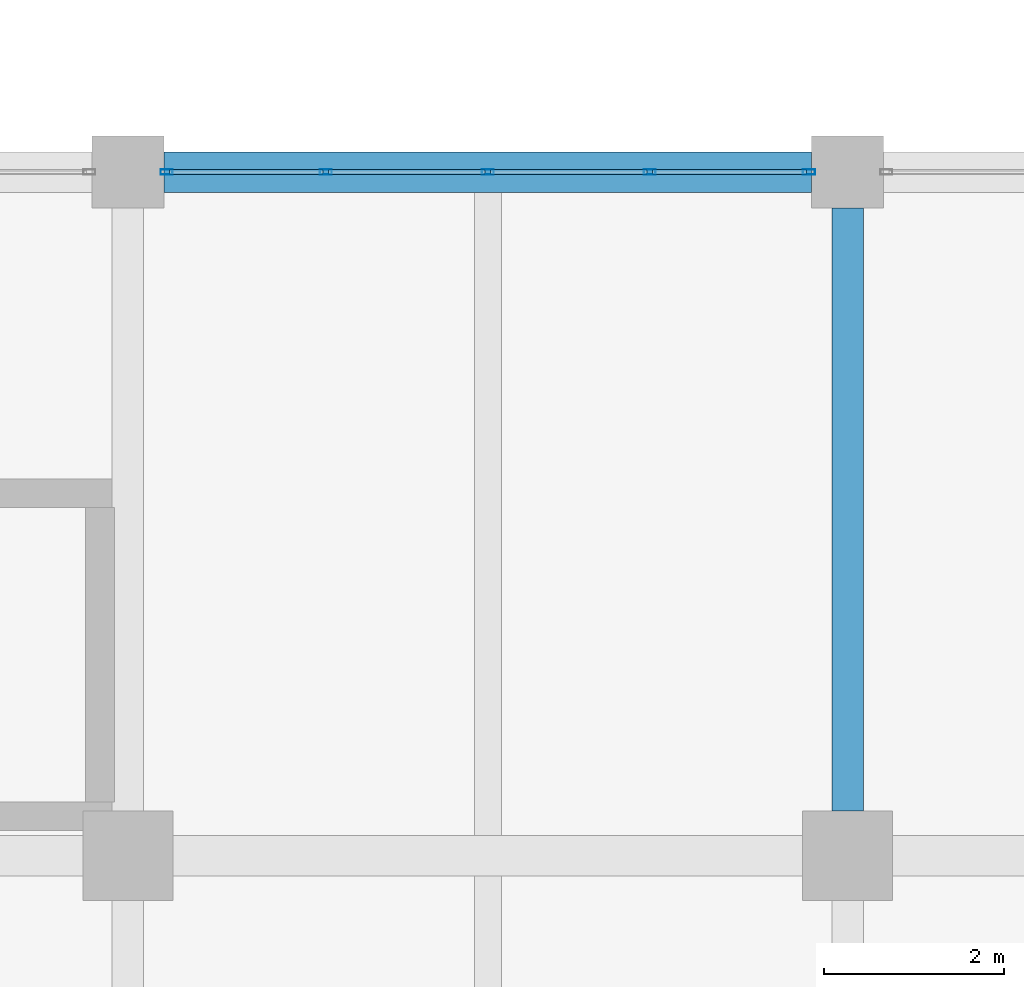
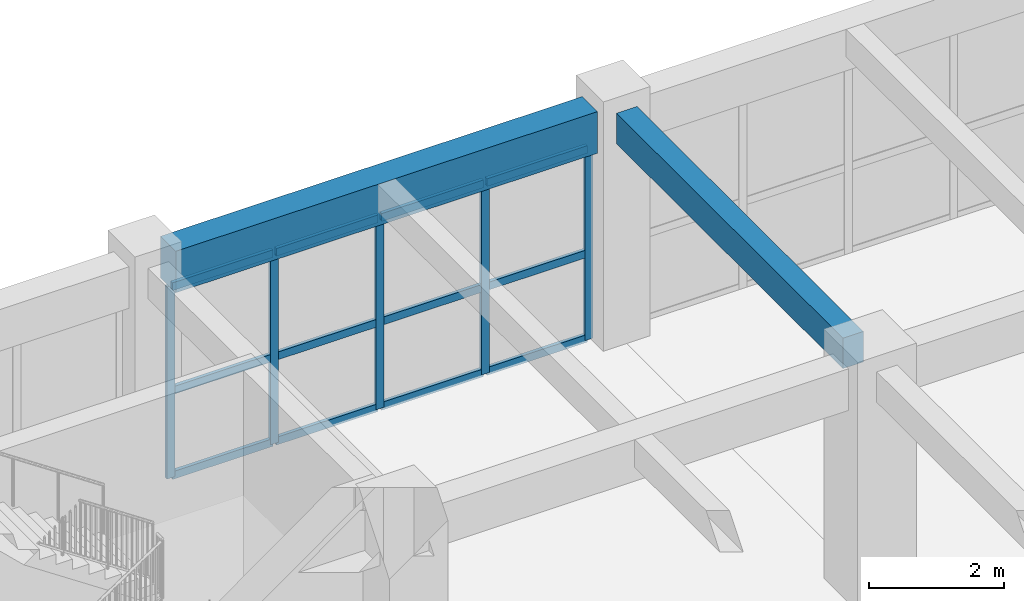
# One storey, part 29 of 79: 17 members, 2 beams, 1 element without a shape of its own.
"""IFC4 building model written with IfcOpenShell, lengths in metres."""

from ifc_helpers import new_model, si_unit, direction, frame, origin, origin_2d, place, context, subcontext, project, spatial, rectangle, hollow_rectangle, extrude, material, material_profile, profile_set, type_object, element, aggregate, save


model = new_model("IFC4")

# Units and contexts
model_context = context("Model", 3, precision=1e-05, world=origin(), true_north=direction((0.0, 1.0)))
body_context = subcontext(model_context, "Body", "Model", "MODEL_VIEW")
ifc_project = project(units=[si_unit("LENGTHUNIT", "METRE"), si_unit("AREAUNIT", "SQUARE_METRE"), si_unit("VOLUMEUNIT", "CUBIC_METRE"), si_unit("PLANEANGLEUNIT", "RADIAN"), si_unit("MASSUNIT", "GRAM", prefix="KILO")], contexts=[model_context])

# Site, building, storey
site_placement = place(None, origin())
site = spatial("IfcSite", under=ifc_project, at=site_placement, CompositionType="ELEMENT")
building_placement = place(site_placement, origin())
building = spatial("IfcBuilding", under=site, at=building_placement, Name="Zantavel Square City Hall", CompositionType="ELEMENT")
storey_placement = place(building_placement, frame((0.0, 0.0, 10.199951171875)))
storey = spatial("IfcBuildingStorey", under=building, at=storey_placement, Name="L03", CompositionType="ELEMENT", Elevation=10.199951171875)

# Curtain wall, members
ifc_material_1 = material(Name="Anodised aluminium 6063-T6", Category="aluminium")
curtain_wall_type = type_object("IfcCurtainWallType", Name="Curtain Wall TRV1 7200x3470", PredefinedType="USERDEFINED", material=ifc_material_1)
curtain_wall_placement = place(storey_placement, origin())
curtain_wall = element("IfcCurtainWall", 1, at=curtain_wall_placement, inside=storey, type_object=curtain_wall_type, Name="L03 Glazed Curtain Wall CW-L03-085", ObjectType="GLAZED CURTAIN WALL", PredefinedType="USERDEFINED")
ifc_material_profile_1 = material_profile(ifc_material_1, hollow_rectangle(XDim=0.06005859375, YDim=0.135009765625, WallThickness=0.00390625, at=origin_2d()), Name="ALU 60x135x4")
ifc_profile_set_1 = profile_set([ifc_material_profile_1], Name="Anodised aluminium 6063-T6")
member_type_1 = type_object("IfcMemberType", Name="CW Mullion ALU 60x135x4", PredefinedType="MULLION", material=ifc_profile_set_1)
member_1_placement = place(storey_placement, frame((72.429931640625, 68.39990234375, 0.0), z_axis=(0.0, 0.0, 1.0), x_axis=(0.0, 1.0, 0.0)))
member_1 = element("IfcMember", 2, at=member_1_placement, type_object=member_type_1, Name="CW-085 mullion 1", PredefinedType="MULLION", context=body_context, shape_type="SweptSolid", body=[
    extrude(hollow_rectangle(XDim=0.06005859375, YDim=0.135009765625, WallThickness=0.00390625, at=origin_2d()), origin(), (0.0, 0.0, 1.0), 3.469970703125),
])
member_2_placement = place(storey_placement, frame((74.199951171875, 68.39990234375, 0.0), z_axis=(0.0, 0.0, 1.0), x_axis=(0.0, 1.0, 0.0)))
member_2 = element("IfcMember", 3, at=member_2_placement, type_object=member_type_1, Name="CW-085 mullion 2", PredefinedType="MULLION", context=body_context, shape_type="SweptSolid", body=[
    extrude(hollow_rectangle(XDim=0.06005859375, YDim=0.135009765625, WallThickness=0.00390625, at=origin_2d()), origin(), (0.0, 0.0, 1.0), 3.469970703125),
])
member_3_placement = place(storey_placement, frame((76.0, 68.39990234375, 0.0), z_axis=(0.0, 0.0, 1.0), x_axis=(0.0, 1.0, 0.0)))
member_3 = element("IfcMember", 4, at=member_3_placement, type_object=member_type_1, Name="CW-085 mullion 3", PredefinedType="MULLION", context=body_context, shape_type="SweptSolid", body=[
    extrude(hollow_rectangle(XDim=0.06005859375, YDim=0.135009765625, WallThickness=0.00390625, at=origin_2d()), origin(), (0.0, 0.0, 1.0), 3.469970703125),
])
member_4_placement = place(storey_placement, frame((77.800048828125, 68.39990234375, 0.0), z_axis=(0.0, 0.0, 1.0), x_axis=(0.0, 1.0, 0.0)))
member_4 = element("IfcMember", 5, at=member_4_placement, type_object=member_type_1, Name="CW-085 mullion 4", PredefinedType="MULLION", context=body_context, shape_type="SweptSolid", body=[
    extrude(hollow_rectangle(XDim=0.06005859375, YDim=0.135009765625, WallThickness=0.00390625, at=origin_2d()), origin(), (0.0, 0.0, 1.0), 3.469970703125),
])
member_5_placement = place(storey_placement, frame((79.570068359375, 68.39990234375, 0.0), z_axis=(0.0, 0.0, 1.0), x_axis=(0.0, 1.0, 0.0)))
member_5 = element("IfcMember", 6, at=member_5_placement, type_object=member_type_1, Name="CW-085 mullion 5", PredefinedType="MULLION", context=body_context, shape_type="SweptSolid", body=[
    extrude(hollow_rectangle(XDim=0.06005859375, YDim=0.135009765625, WallThickness=0.00390625, at=origin_2d()), origin(), (0.0, 0.0, 1.0), 3.469970703125),
])
ifc_material_profile_2 = material_profile(ifc_material_1, hollow_rectangle(XDim=0.06005859375, YDim=0.139892578125, WallThickness=0.00390625, at=origin_2d()), Name="ALU 60x140x4")
ifc_profile_set_2 = profile_set([ifc_material_profile_2], Name="Anodised aluminium 6063-T6")
member_type_2 = type_object("IfcMemberType", Name="CW Transom ALU 60x140x4", PredefinedType="USERDEFINED", material=ifc_profile_set_2)
member_6_placement = place(storey_placement, frame((72.4599609375, 68.39990234375, 0.030029296875), z_axis=(1.0, 0.0, 0.0), x_axis=(0.0, 1.0, 0.0)))
member_6 = element("IfcMember", 7, at=member_6_placement, type_object=member_type_2, Name="CW-085 transom 1.1", ObjectType="TRANSOM", PredefinedType="USERDEFINED", context=body_context, shape_type="SweptSolid", body=[
    extrude(hollow_rectangle(XDim=0.06005859375, YDim=0.139892578125, WallThickness=0.00390625, at=origin_2d()), origin(), (0.0, 0.0, 1.0), 1.7099609375),
])
member_7_placement = place(storey_placement, frame((72.4599609375, 68.39990234375, 1.56201171875), z_axis=(1.0, 0.0, 0.0), x_axis=(0.0, 1.0, 0.0)))
member_7 = element("IfcMember", 8, at=member_7_placement, type_object=member_type_2, Name="CW-085 transom 1.2", ObjectType="TRANSOM", PredefinedType="USERDEFINED", context=body_context, shape_type="SweptSolid", body=[
    extrude(hollow_rectangle(XDim=0.06005859375, YDim=0.139892578125, WallThickness=0.00390625, at=origin_2d()), origin(), (0.0, 0.0, 1.0), 1.7099609375),
])
member_8_placement = place(storey_placement, frame((72.4599609375, 68.39990234375, 3.43994140625), z_axis=(1.0, 0.0, 0.0), x_axis=(0.0, 1.0, 0.0)))
member_8 = element("IfcMember", 9, at=member_8_placement, type_object=member_type_2, Name="CW-085 transom 1.3", ObjectType="TRANSOM", PredefinedType="USERDEFINED", context=body_context, shape_type="SweptSolid", body=[
    extrude(hollow_rectangle(XDim=0.06005859375, YDim=0.139892578125, WallThickness=0.00390625, at=origin_2d()), origin(), (0.0, 0.0, 1.0), 1.7099609375),
])
member_9_placement = place(storey_placement, frame((74.22998046875, 68.39990234375, 0.030029296875), z_axis=(1.0, 0.0, 0.0), x_axis=(0.0, 1.0, 0.0)))
member_9 = element("IfcMember", 10, at=member_9_placement, type_object=member_type_2, Name="CW-085 transom 2.1", ObjectType="TRANSOM", PredefinedType="USERDEFINED", context=body_context, shape_type="SweptSolid", body=[
    extrude(hollow_rectangle(XDim=0.06005859375, YDim=0.139892578125, WallThickness=0.00390625, at=origin_2d()), origin(), (0.0, 0.0, 1.0), 1.739990234375),
])
member_10_placement = place(storey_placement, frame((74.22998046875, 68.39990234375, 1.56201171875), z_axis=(1.0, 0.0, 0.0), x_axis=(0.0, 1.0, 0.0)))
member_10 = element("IfcMember", 11, at=member_10_placement, type_object=member_type_2, Name="CW-085 transom 2.2", ObjectType="TRANSOM", PredefinedType="USERDEFINED", context=body_context, shape_type="SweptSolid", body=[
    extrude(hollow_rectangle(XDim=0.06005859375, YDim=0.139892578125, WallThickness=0.00390625, at=origin_2d()), origin(), (0.0, 0.0, 1.0), 1.739990234375),
])
member_11_placement = place(storey_placement, frame((74.22998046875, 68.39990234375, 3.43994140625), z_axis=(1.0, 0.0, 0.0), x_axis=(0.0, 1.0, 0.0)))
member_11 = element("IfcMember", 12, at=member_11_placement, type_object=member_type_2, Name="CW-085 transom 2.3", ObjectType="TRANSOM", PredefinedType="USERDEFINED", context=body_context, shape_type="SweptSolid", body=[
    extrude(hollow_rectangle(XDim=0.06005859375, YDim=0.139892578125, WallThickness=0.00390625, at=origin_2d()), origin(), (0.0, 0.0, 1.0), 1.739990234375),
])
member_12_placement = place(storey_placement, frame((76.030029296875, 68.39990234375, 0.030029296875), z_axis=(1.0, 0.0, 0.0), x_axis=(0.0, 1.0, 0.0)))
member_12 = element("IfcMember", 13, at=member_12_placement, type_object=member_type_2, Name="CW-085 transom 3.1", ObjectType="TRANSOM", PredefinedType="USERDEFINED", context=body_context, shape_type="SweptSolid", body=[
    extrude(hollow_rectangle(XDim=0.06005859375, YDim=0.139892578125, WallThickness=0.00390625, at=origin_2d()), origin(), (0.0, 0.0, 1.0), 1.739990234375),
])
member_13_placement = place(storey_placement, frame((76.030029296875, 68.39990234375, 1.56201171875), z_axis=(1.0, 0.0, 0.0), x_axis=(0.0, 1.0, 0.0)))
member_13 = element("IfcMember", 14, at=member_13_placement, type_object=member_type_2, Name="CW-085 transom 3.2", ObjectType="TRANSOM", PredefinedType="USERDEFINED", context=body_context, shape_type="SweptSolid", body=[
    extrude(hollow_rectangle(XDim=0.06005859375, YDim=0.139892578125, WallThickness=0.00390625, at=origin_2d()), origin(), (0.0, 0.0, 1.0), 1.739990234375),
])
member_14_placement = place(storey_placement, frame((76.030029296875, 68.39990234375, 3.43994140625), z_axis=(1.0, 0.0, 0.0), x_axis=(0.0, 1.0, 0.0)))
member_14 = element("IfcMember", 15, at=member_14_placement, type_object=member_type_2, Name="CW-085 transom 3.3", ObjectType="TRANSOM", PredefinedType="USERDEFINED", context=body_context, shape_type="SweptSolid", body=[
    extrude(hollow_rectangle(XDim=0.06005859375, YDim=0.139892578125, WallThickness=0.00390625, at=origin_2d()), origin(), (0.0, 0.0, 1.0), 1.739990234375),
])
member_15_placement = place(storey_placement, frame((77.830078125, 68.39990234375, 0.030029296875), z_axis=(1.0, 0.0, 0.0), x_axis=(0.0, 1.0, 0.0)))
member_15 = element("IfcMember", 16, at=member_15_placement, type_object=member_type_2, Name="CW-085 transom 4.1", ObjectType="TRANSOM", PredefinedType="USERDEFINED", context=body_context, shape_type="SweptSolid", body=[
    extrude(hollow_rectangle(XDim=0.06005859375, YDim=0.139892578125, WallThickness=0.00390625, at=origin_2d()), origin(), (0.0, 0.0, 1.0), 1.7099609375),
])
member_16_placement = place(storey_placement, frame((77.830078125, 68.39990234375, 1.56201171875), z_axis=(1.0, 0.0, 0.0), x_axis=(0.0, 1.0, 0.0)))
member_16 = element("IfcMember", 17, at=member_16_placement, type_object=member_type_2, Name="CW-085 transom 4.2", ObjectType="TRANSOM", PredefinedType="USERDEFINED", context=body_context, shape_type="SweptSolid", body=[
    extrude(hollow_rectangle(XDim=0.06005859375, YDim=0.139892578125, WallThickness=0.00390625, at=origin_2d()), origin(), (0.0, 0.0, 1.0), 1.7099609375),
])
member_17_placement = place(storey_placement, frame((77.830078125, 68.39990234375, 3.43994140625), z_axis=(1.0, 0.0, 0.0), x_axis=(0.0, 1.0, 0.0)))
member_17 = element("IfcMember", 18, at=member_17_placement, type_object=member_type_2, Name="CW-085 transom 4.3", ObjectType="TRANSOM", PredefinedType="USERDEFINED", context=body_context, shape_type="SweptSolid", body=[
    extrude(hollow_rectangle(XDim=0.06005859375, YDim=0.139892578125, WallThickness=0.00390625, at=origin_2d()), origin(), (0.0, 0.0, 1.0), 1.7099609375),
])
aggregate(curtain_wall, [member_1, member_2, member_3, member_4, member_5, member_6, member_7, member_8, member_9, member_10, member_11, member_12, member_13, member_14, member_15, member_16, member_17])

# Beams
ifc_material_2 = material(Name="Concrete C35/45", Category="concrete")
ifc_material_profile_3 = material_profile(ifc_material_2, rectangle(XDim=0.449951171875, YDim=0.75, at=origin_2d()), Name="RC 450x750")
ifc_profile_set_3 = profile_set([ifc_material_profile_3], Name="Concrete C35/45")
beam_type_1 = type_object("IfcBeamType", Name="Primary Girder RC 450x750 C35/45", PredefinedType="BEAM", material=ifc_profile_set_3)
beam_1_placement = place(storey_placement, frame((72.39990234375, 68.39990234375, 3.844970703125), z_axis=(1.0, 0.0, 0.0), x_axis=(0.0, 1.0, 0.0)))
element("IfcBeam", 19, at=beam_1_placement, inside=storey, type_object=beam_type_1, Name="L03 Girder BMX-L03-0720-0684", PredefinedType="BEAM", context=body_context, shape_type="SweptSolid", body=[
    extrude(rectangle(XDim=0.449951171875, YDim=0.75, at=origin_2d()), origin(), (0.0, 0.0, 1.0), 7.2001953125),
])
ifc_material_profile_4 = material_profile(ifc_material_2, rectangle(XDim=0.35009765625, YDim=0.550048828125, at=origin_2d()), Name="RC 350x550")
ifc_profile_set_4 = profile_set([ifc_material_profile_4], Name="Concrete C35/45")
beam_type_2 = type_object("IfcBeamType", Name="Secondary Beam RC 350x550 C35/45", PredefinedType="BEAM", material=ifc_profile_set_4)
beam_2_placement = place(storey_placement, frame((80.0, 61.300048828125, 3.945068359375), z_axis=(0.0, 1.0, 0.0), x_axis=(-1.0, 0.0, 0.0)))
element("IfcBeam", 20, at=beam_2_placement, inside=storey, type_object=beam_type_2, Name="L03 Beam BMY-L03-0800-0608", PredefinedType="BEAM", context=body_context, shape_type="SweptSolid", body=[
    extrude(rectangle(XDim=0.35009765625, YDim=0.550048828125, at=origin_2d()), origin(), (0.0, 0.0, 1.0), 6.699951171875),
])

save(model, "model.ifc")
